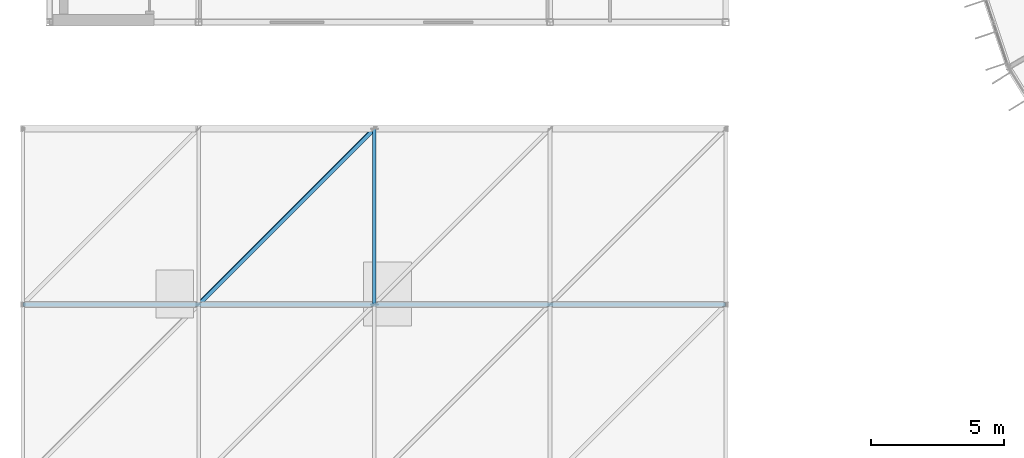
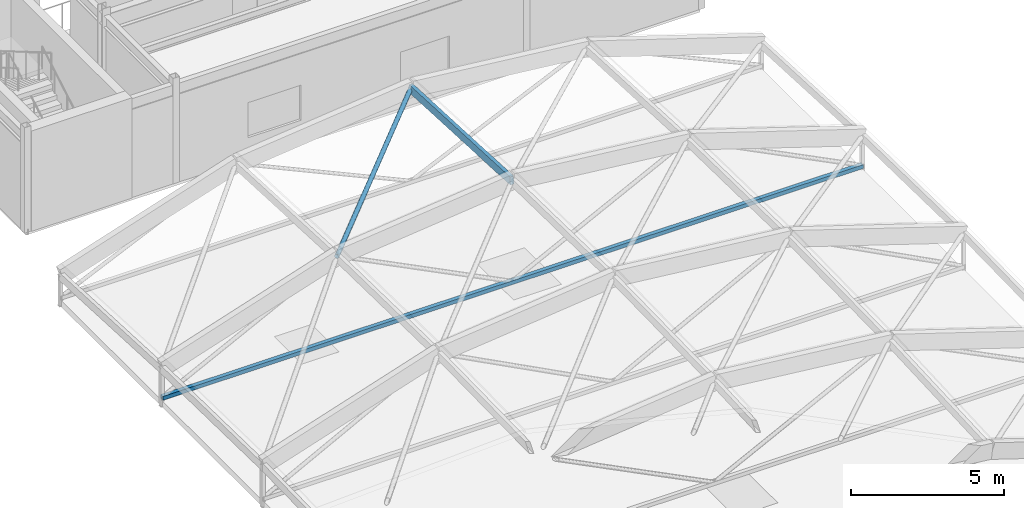
# One storey, part 27 of 157: 3 members.
"""IFC4 building model written with IfcOpenShell, lengths in metres."""

from ifc_helpers import new_model, si_unit, direction, frame, origin, origin_2d, place, context, subcontext, project, spatial, rectangle, hollow_rectangle, hollow_circle, extrude, material, material_profile, profile_set, type_object, element, save


model = new_model("IFC4")

# Units and contexts
model_context = context("Model", 3, precision=1e-05, world=origin(), true_north=direction((0.0, 1.0)))
body_context = subcontext(model_context, "Body", "Model", "MODEL_VIEW")
ifc_project = project(units=[si_unit("LENGTHUNIT", "METRE"), si_unit("AREAUNIT", "SQUARE_METRE"), si_unit("VOLUMEUNIT", "CUBIC_METRE"), si_unit("PLANEANGLEUNIT", "RADIAN"), si_unit("MASSUNIT", "GRAM", prefix="KILO")], contexts=[model_context])

# Site, building, storey
site_placement = place(None, origin())
site = spatial("IfcSite", under=ifc_project, at=site_placement, CompositionType="ELEMENT")
building_placement = place(site_placement, origin())
building = spatial("IfcBuilding", under=site, at=building_placement, Name="Karori Crest Natural Sciences Institute", CompositionType="ELEMENT")
storey_placement = place(building_placement, frame((0.0, 0.0, 13.300048828125)))
storey = spatial("IfcBuildingStorey", under=building, at=storey_placement, Name="L03", CompositionType="ELEMENT", Elevation=13.300048828125)

# Members
ifc_material_1 = material(Name="Hollow structural steel AS/NZS 1163 Grade C350", Category="steel")
ifc_material_profile_1 = material_profile(ifc_material_1, hollow_circle(Radius=0.084228515625, WallThickness=0.007080078125, at=origin_2d()), Name="CHS168.3x7.1")
ifc_profile_set_1 = profile_set([ifc_material_profile_1], Name="Hollow structural steel AS/NZS 1163 Grade C350")
member_type_1 = type_object("IfcMemberType", Name="MT-03", PredefinedType="BRACE", material=ifc_profile_set_1)
member_1_placement = place(storey_placement, frame((7.39990234375, 20.60009765625, 3.425537109375), z_axis=(0.706489004165, 0.706462870815, 0.042231494811), x_axis=(-0.707093702722, 0.707119859409, 0.0)))
element("IfcMember", 1, at=member_1_placement, inside=storey, type_object=member_type_1, Name="Diagonal Brace M-0330", PredefinedType="BRACE", context=body_context, shape_type="SweptSolid", body=[
    extrude(hollow_circle(Radius=0.084228515625, WallThickness=0.007080078125, at=origin_2d()), origin(), (0.0, 0.0, 1.0), 9.342041015625),
])
ifc_material_2 = material(Name="Glulam GL12", Category="wood")
ifc_material_profile_2 = material_profile(ifc_material_2, rectangle(XDim=0.135009765625, YDim=0.31494140625, at=origin_2d()), Name="GL135x315")
ifc_profile_set_2 = profile_set([ifc_material_profile_2], Name="Glulam GL12")
member_type_2 = type_object("IfcMemberType", Name="MT-12", PredefinedType="PURLIN", material=ifc_profile_set_2)
member_2_placement = place(storey_placement, frame((14.0, 20.60009765625, 4.13818359375), z_axis=(0.0, 0.998840383429, -0.048144453801), x_axis=(-1.0, 0.0, 0.0)))
element("IfcMember", 2, at=member_2_placement, inside=storey, type_object=member_type_2, Name="Member M-0333", PredefinedType="PURLIN", context=body_context, shape_type="SweptSolid", body=[
    extrude(rectangle(XDim=0.135009765625, YDim=0.31494140625, at=origin_2d()), origin(), (0.0, 0.0, 1.0), 6.607421875),
])
ifc_material_profile_3 = material_profile(ifc_material_1, hollow_rectangle(XDim=0.14990234375, YDim=0.14990234375, WallThickness=0.009033203125, at=origin_2d()), Name="SHS150x150x9")
ifc_profile_set_3 = profile_set([ifc_material_profile_3], Name="Hollow structural steel AS/NZS 1163 Grade C350")
member_type_3 = type_object("IfcMemberType", Name="MT-13-IL", PredefinedType="CHORD", material=ifc_profile_set_3)
member_3_placement = place(storey_placement, frame((0.800048828125, 20.60009765625, 0.119873046875), z_axis=(1.0, 0.0, 0.0), x_axis=(0.0, 1.0, 0.0)))
element("IfcMember", 3, at=member_3_placement, inside=storey, type_object=member_type_3, Name="Member M-0322", PredefinedType="CHORD", context=body_context, shape_type="SweptSolid", body=[
    extrude(hollow_rectangle(XDim=0.14990234375, YDim=0.14990234375, WallThickness=0.009033203125, at=origin_2d()), origin(), (0.0, 0.0, 1.0), 26.39990234375),
])

save(model, "model.ifc")
